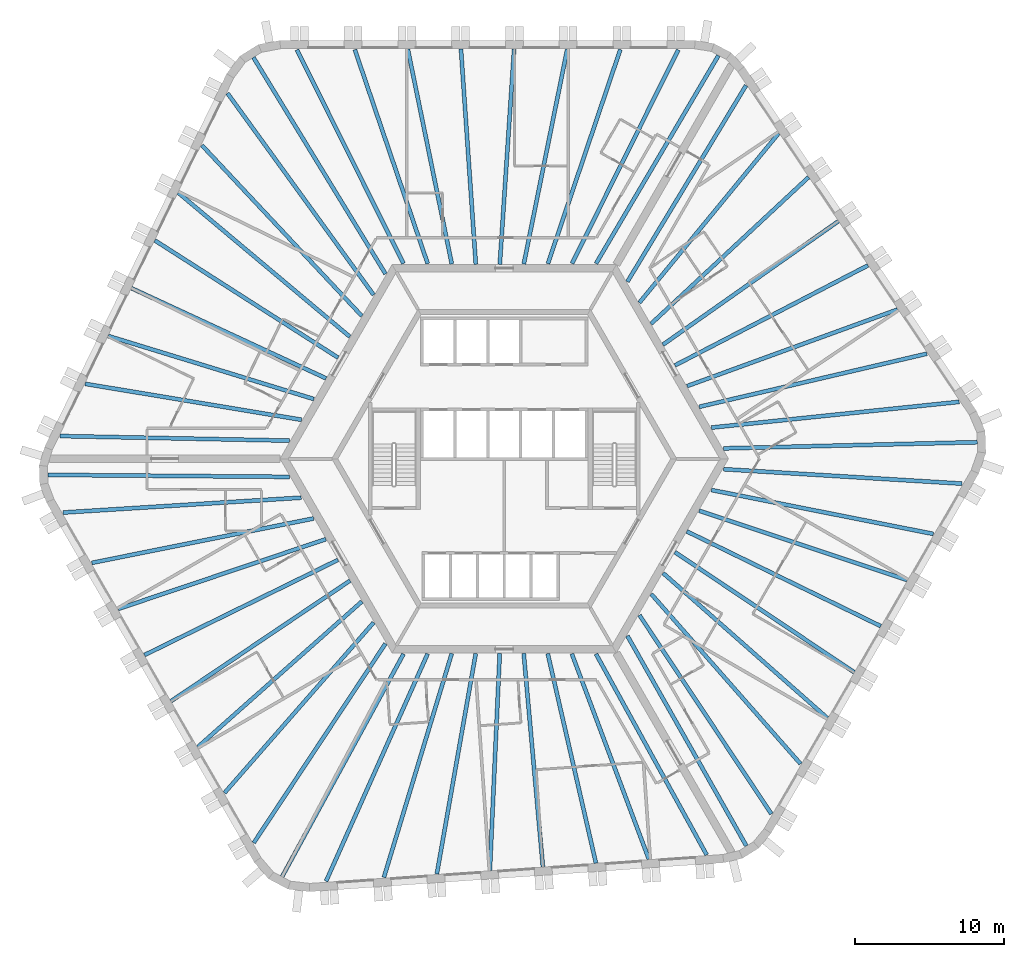
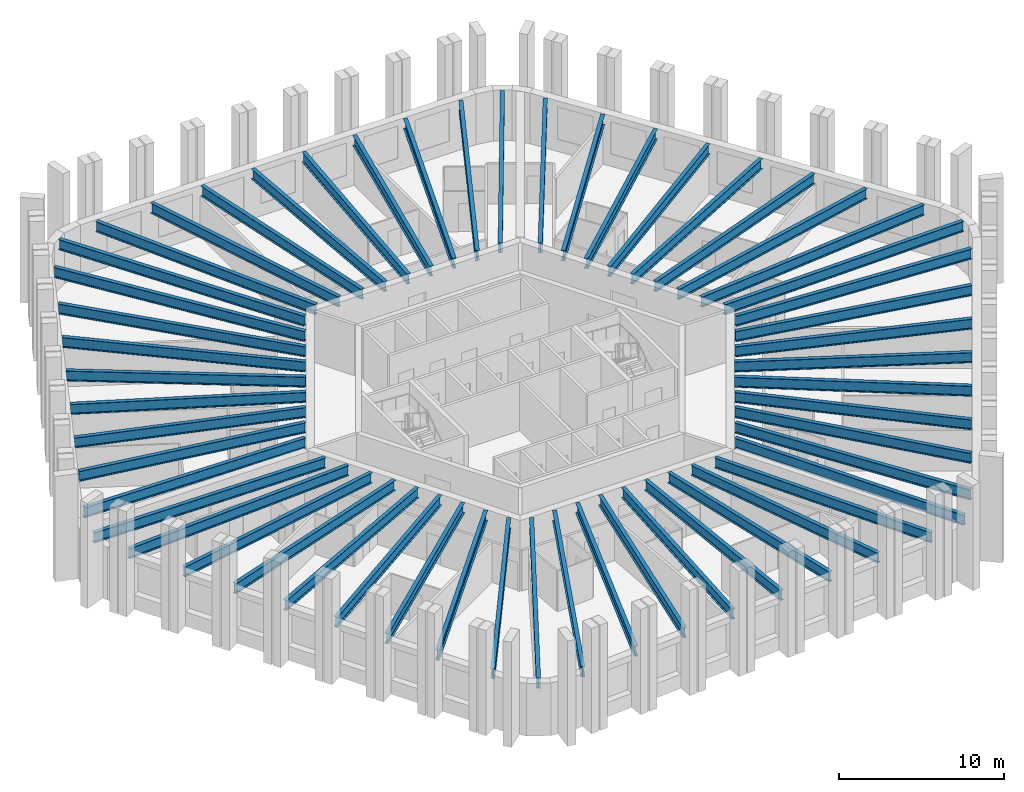
# One storey, part 1 of 10: 54 beams.
"""IFC4 building model written with IfcOpenShell, lengths in metres."""

from ifc_helpers import new_model, si_unit, direction, frame, origin, origin_2d, place, context, subcontext, project, spatial, i_section, extrude, material, material_profile, profile_set, type_object, element, save


model = new_model("IFC4")

# Units and contexts
model_context = context("Model", 3, precision=1e-05, world=origin(), true_north=direction((0.0, 1.0)))
body_context = subcontext(model_context, "Body", "Model", "MODEL_VIEW")
ifc_project = project(units=[si_unit("LENGTHUNIT", "METRE"), si_unit("AREAUNIT", "SQUARE_METRE"), si_unit("VOLUMEUNIT", "CUBIC_METRE"), si_unit("PLANEANGLEUNIT", "RADIAN"), si_unit("MASSUNIT", "GRAM", prefix="KILO")], contexts=[model_context])

# Site, building, storey
site_placement = place(None, origin())
site = spatial("IfcSite", under=ifc_project, at=site_placement, CompositionType="ELEMENT")
building_placement = place(site_placement, origin())
building = spatial("IfcBuilding", under=site, at=building_placement, Name="Tarnside Tower", CompositionType="ELEMENT")
storey_placement = place(building_placement, frame((0.0, 0.0, 176.10009765625)))
storey = spatial("IfcBuildingStorey", under=building, at=storey_placement, Name="L41", CompositionType="ELEMENT", Elevation=176.10009765625)

# Beams
ifc_material = material(Name="Steel S355", Category="steel")
ifc_material_profile_1 = material_profile(ifc_material, i_section(OverallWidth=0.26513671875, OverallDepth=0.75390625, WebThickness=0.0126953125, FlangeThickness=0.017578125, FilletRadius=0.0166015625, at=origin_2d()), Name="UB 762x267x147")
ifc_profile_set_1 = profile_set([ifc_material_profile_1], Name="Steel S355")
beam_type_1 = type_object("IfcBeamType", Name="Floor beam UB 762x267x147", PredefinedType="BEAM", material=ifc_profile_set_1)
beam_1_placement = place(storey_placement, frame((7.77001953125, 27.393310546875, 3.372802734375), z_axis=(-0.320362579778, -0.947295000239, 0.0), x_axis=(0.947295000239, -0.320362579778, 0.0)))
element("IfcBeam", 1, at=beam_1_placement, inside=storey, type_object=beam_type_1, Name="Floor beam F1.02", PredefinedType="BEAM", context=body_context, shape_type="SweptSolid", body=[
    extrude(i_section(OverallWidth=0.26513671875, OverallDepth=0.75390625, WebThickness=0.0126953125, FlangeThickness=0.017578125, FilletRadius=0.0166015625, at=origin_2d()), origin(), (0.0, 0.0, 1.0), 15.134033203125),
])
beam_2_placement = place(storey_placement, frame((4.218505859375, 27.410888671875, 3.372802734375), z_axis=(-0.19841777413, -0.980117537293, 0.0), x_axis=(0.980117537293, -0.19841777413, 0.0)))
element("IfcBeam", 2, at=beam_2_placement, inside=storey, type_object=beam_type_1, Name="Floor beam F1.03", PredefinedType="BEAM", context=body_context, shape_type="SweptSolid", body=[
    extrude(i_section(OverallWidth=0.26513671875, OverallDepth=0.75390625, WebThickness=0.0126953125, FlangeThickness=0.017578125, FilletRadius=0.0166015625, at=origin_2d()), origin(), (0.0, 0.0, 1.0), 14.6630859375),
])
beam_3_placement = place(storey_placement, frame((0.66259765625, 27.429931640625, 3.372802734375), z_axis=(-0.066554914868, -0.997782763585, 0.0), x_axis=(0.997782763585, -0.066554914868, 0.0)))
element("IfcBeam", 3, at=beam_3_placement, inside=storey, type_object=beam_type_1, Name="Floor beam F1.04", PredefinedType="BEAM", context=body_context, shape_type="SweptSolid", body=[
    extrude(i_section(OverallWidth=0.26513671875, OverallDepth=0.75390625, WebThickness=0.0126953125, FlangeThickness=0.017578125, FilletRadius=0.0166015625, at=origin_2d()), origin(), (0.0, 0.0, 1.0), 14.44189453125),
])
beam_4_placement = place(storey_placement, frame((-2.8974609375, 27.429931640625, 3.372802734375), z_axis=(0.068876921658, -0.997625164911, 0.0), x_axis=(0.997625164911, 0.068876921658, 0.0)))
element("IfcBeam", 4, at=beam_4_placement, inside=storey, type_object=beam_type_1, Name="Floor beam F1.05", PredefinedType="BEAM", context=body_context, shape_type="SweptSolid", body=[
    extrude(i_section(OverallWidth=0.26513671875, OverallDepth=0.75390625, WebThickness=0.0126953125, FlangeThickness=0.017578125, FilletRadius=0.0166015625, at=origin_2d()), origin(), (0.0, 0.0, 1.0), 14.4443359375),
])
beam_5_placement = place(storey_placement, frame((-6.45361328125, 27.410888671875, 3.372802734375), z_axis=(0.200623497398, -0.979668419564, 0.0), x_axis=(0.979668419564, 0.200623497398, 0.0)))
element("IfcBeam", 5, at=beam_5_placement, inside=storey, type_object=beam_type_1, Name="Floor beam F1.06", PredefinedType="BEAM", context=body_context, shape_type="SweptSolid", body=[
    extrude(i_section(OverallWidth=0.26513671875, OverallDepth=0.75390625, WebThickness=0.0126953125, FlangeThickness=0.017578125, FilletRadius=0.0166015625, at=origin_2d()), origin(), (0.0, 0.0, 1.0), 14.669921875),
])
beam_6_placement = place(storey_placement, frame((-10.0048828125, 27.393310546875, 3.372802734375), z_axis=(0.322343712034, -0.946622697442, 0.0), x_axis=(0.946622697442, 0.322343712034, 0.0)))
element("IfcBeam", 6, at=beam_6_placement, inside=storey, type_object=beam_type_1, Name="Floor beam F1.07", PredefinedType="BEAM", context=body_context, shape_type="SweptSolid", body=[
    extrude(i_section(OverallWidth=0.26513671875, OverallDepth=0.75390625, WebThickness=0.0126953125, FlangeThickness=0.017578125, FilletRadius=0.0166015625, at=origin_2d()), origin(), (0.0, 0.0, 1.0), 15.144775390625),
])
beam_7_placement = place(storey_placement, frame((-20.241455078125, 20.9892578125, 3.372802734375), z_axis=(0.683752330283, -0.729714156936, 0.0), x_axis=(0.729714156936, 0.683752330283, 0.0)))
element("IfcBeam", 7, at=beam_7_placement, inside=storey, type_object=beam_type_1, Name="Floor beam F2.02", PredefinedType="BEAM", context=body_context, shape_type="SweptSolid", body=[
    extrude(i_section(OverallWidth=0.26513671875, OverallDepth=0.75390625, WebThickness=0.0126953125, FlangeThickness=0.017578125, FilletRadius=0.0166015625, at=origin_2d()), origin(), (0.0, 0.0, 1.0), 15.6591796875),
])
beam_8_placement = place(storey_placement, frame((-21.81396484375, 17.80419921875, 3.372802734375), z_axis=(0.765948461073, -0.642901979294, 0.0), x_axis=(0.642901979294, 0.765948461073, 0.0)))
element("IfcBeam", 8, at=beam_8_placement, inside=storey, type_object=beam_type_1, Name="Floor beam F2.03", PredefinedType="BEAM", context=body_context, shape_type="SweptSolid", body=[
    extrude(i_section(OverallWidth=0.26513671875, OverallDepth=0.75390625, WebThickness=0.0126953125, FlangeThickness=0.017578125, FilletRadius=0.0166015625, at=origin_2d()), origin(), (0.0, 0.0, 1.0), 14.982177734375),
])
beam_9_placement = place(storey_placement, frame((-23.389892578125, 14.616455078125, 3.372802734375), z_axis=(0.842378275633, -0.538886667808, 0.0), x_axis=(0.538886667808, 0.842378275633, 0.0)))
element("IfcBeam", 9, at=beam_9_placement, inside=storey, type_object=beam_type_1, Name="Floor beam F2.04", PredefinedType="BEAM", context=body_context, shape_type="SweptSolid", body=[
    extrude(i_section(OverallWidth=0.26513671875, OverallDepth=0.75390625, WebThickness=0.0126953125, FlangeThickness=0.017578125, FilletRadius=0.0166015625, at=origin_2d()), origin(), (0.0, 0.0, 1.0), 14.5595703125),
])
beam_10_placement = place(storey_placement, frame((-24.9501953125, 11.416748046875, 3.372802734375), z_axis=(0.907310131748, -0.420462037321, 0.0), x_axis=(0.420462037321, 0.907310131748, 0.0)))
element("IfcBeam", 10, at=beam_10_placement, inside=storey, type_object=beam_type_1, Name="Floor beam F2.05", PredefinedType="BEAM", context=body_context, shape_type="SweptSolid", body=[
    extrude(i_section(OverallWidth=0.26513671875, OverallDepth=0.75390625, WebThickness=0.0126953125, FlangeThickness=0.017578125, FilletRadius=0.0166015625, at=origin_2d()), origin(), (0.0, 0.0, 1.0), 14.353515625),
])
beam_11_placement = place(storey_placement, frame((-26.510986328125, 8.2177734375, 3.372802734375), z_axis=(0.956073348261, -0.293127536654, 0.0), x_axis=(0.293127536654, 0.956073348261, 0.0)))
element("IfcBeam", 11, at=beam_11_placement, inside=storey, type_object=beam_type_1, Name="Floor beam F2.06", PredefinedType="BEAM", context=body_context, shape_type="SweptSolid", body=[
    extrude(i_section(OverallWidth=0.26513671875, OverallDepth=0.75390625, WebThickness=0.0126953125, FlangeThickness=0.017578125, FilletRadius=0.0166015625, at=origin_2d()), origin(), (0.0, 0.0, 1.0), 14.3955078125),
])
beam_12_placement = place(storey_placement, frame((-28.0517578125, 5.015869140625, 3.372802734375), z_axis=(0.986476498304, -0.163902770858, 0.0), x_axis=(0.163902770858, 0.986476498304, 0.0)))
element("IfcBeam", 12, at=beam_12_placement, inside=storey, type_object=beam_type_1, Name="Floor beam F2.07", PredefinedType="BEAM", context=body_context, shape_type="SweptSolid", body=[
    extrude(i_section(OverallWidth=0.26513671875, OverallDepth=0.75390625, WebThickness=0.0126953125, FlangeThickness=0.017578125, FilletRadius=0.0166015625, at=origin_2d()), origin(), (0.0, 0.0, 1.0), 14.680908203125),
])
beam_13_placement = place(storey_placement, frame((-29.73828125, 1.521484375, 3.372802734375), z_axis=(0.999800142641, -0.019991867701, 0.0), x_axis=(0.019991867701, 0.999800142641, 0.0)))
element("IfcBeam", 13, at=beam_13_placement, inside=storey, type_object=beam_type_1, Name="Floor beam F2.08", PredefinedType="BEAM", context=body_context, shape_type="SweptSolid", body=[
    extrude(i_section(OverallWidth=0.26513671875, OverallDepth=0.75390625, WebThickness=0.0126953125, FlangeThickness=0.017578125, FilletRadius=0.0166015625, at=origin_2d()), origin(), (0.0, 0.0, 1.0), 15.3505859375),
])
beam_14_placement = place(storey_placement, frame((-27.608154296875, -6.967529296875, 3.372802734375), z_axis=(0.980564540422, 0.196196794232, 0.0), x_axis=(-0.196196794232, 0.980564540422, 0.0)))
element("IfcBeam", 14, at=beam_14_placement, inside=storey, type_object=beam_type_1, Name="Floor beam F3.02", PredefinedType="BEAM", context=body_context, shape_type="SweptSolid", body=[
    extrude(i_section(OverallWidth=0.26513671875, OverallDepth=0.75390625, WebThickness=0.0126953125, FlangeThickness=0.017578125, FilletRadius=0.0166015625, at=origin_2d()), origin(), (0.0, 0.0, 1.0), 15.134033203125),
])
beam_15_placement = place(storey_placement, frame((-25.84765625, -10.052001953125, 3.372802734375), z_axis=(0.948011835322, 0.31823507049, 0.0), x_axis=(-0.31823507049, 0.948011835322, 0.0)))
element("IfcBeam", 15, at=beam_15_placement, inside=storey, type_object=beam_type_1, Name="Floor beam F3.03", PredefinedType="BEAM", context=body_context, shape_type="SweptSolid", body=[
    extrude(i_section(OverallWidth=0.26513671875, OverallDepth=0.75390625, WebThickness=0.0126953125, FlangeThickness=0.017578125, FilletRadius=0.0166015625, at=origin_2d()), origin(), (0.0, 0.0, 1.0), 14.662841796875),
])
beam_16_placement = place(storey_placement, frame((-24.086181640625, -13.141357421875, 3.372802734375), z_axis=(0.897375974806, 0.441266767206, 0.0), x_axis=(-0.441266767206, 0.897375974806, 0.0)))
element("IfcBeam", 16, at=beam_16_placement, inside=storey, type_object=beam_type_1, Name="Floor beam F3.04", PredefinedType="BEAM", context=body_context, shape_type="SweptSolid", body=[
    extrude(i_section(OverallWidth=0.26513671875, OverallDepth=0.75390625, WebThickness=0.0126953125, FlangeThickness=0.017578125, FilletRadius=0.0166015625, at=origin_2d()), origin(), (0.0, 0.0, 1.0), 14.442138671875),
])
beam_17_placement = place(storey_placement, frame((-22.306396484375, -16.224365234375, 3.372802734375), z_axis=(0.829532486243, 0.558458462437, 0.0), x_axis=(-0.558458462437, 0.829532486243, 0.0)))
element("IfcBeam", 17, at=beam_17_placement, inside=storey, type_object=beam_type_1, Name="Floor beam F3.05", PredefinedType="BEAM", context=body_context, shape_type="SweptSolid", body=[
    extrude(i_section(OverallWidth=0.26513671875, OverallDepth=0.75390625, WebThickness=0.0126953125, FlangeThickness=0.017578125, FilletRadius=0.0166015625, at=origin_2d()), origin(), (0.0, 0.0, 1.0), 14.444580078125),
])
beam_18_placement = place(storey_placement, frame((-20.51171875, -19.294189453125, 3.372802734375), z_axis=(0.74811408094, 0.663570133369, 0.0), x_axis=(-0.663570133369, 0.74811408094, 0.0)))
element("IfcBeam", 18, at=beam_18_placement, inside=storey, type_object=beam_type_1, Name="Floor beam F3.06", PredefinedType="BEAM", context=body_context, shape_type="SweptSolid", body=[
    extrude(i_section(OverallWidth=0.26513671875, OverallDepth=0.75390625, WebThickness=0.0126953125, FlangeThickness=0.017578125, FilletRadius=0.0166015625, at=origin_2d()), origin(), (0.0, 0.0, 1.0), 14.669677734375),
])
beam_19_placement = place(storey_placement, frame((-18.720703125, -22.361083984375, 3.372802734375), z_axis=(0.658621010302, 0.752474826681, 0.0), x_axis=(-0.752474826681, 0.658621010302, 0.0)))
element("IfcBeam", 19, at=beam_19_placement, inside=storey, type_object=beam_type_1, Name="Floor beam F3.07", PredefinedType="BEAM", context=body_context, shape_type="SweptSolid", body=[
    extrude(i_section(OverallWidth=0.26513671875, OverallDepth=0.75390625, WebThickness=0.0126953125, FlangeThickness=0.017578125, FilletRadius=0.0166015625, at=origin_2d()), origin(), (0.0, 0.0, 1.0), 15.144775390625),
])
beam_20_placement = place(storey_placement, frame((-8.056396484375, -28.024169921875, 3.372802734375), z_axis=(0.290070138838, 0.957005388989, 0.0), x_axis=(-0.957005388989, 0.290070138838, 0.0)))
element("IfcBeam", 20, at=beam_20_placement, inside=storey, type_object=beam_type_1, Name="Floor beam F4.02", PredefinedType="BEAM", context=body_context, shape_type="SweptSolid", body=[
    extrude(i_section(OverallWidth=0.26513671875, OverallDepth=0.75390625, WebThickness=0.0126953125, FlangeThickness=0.017578125, FilletRadius=0.0166015625, at=origin_2d()), origin(), (0.0, 0.0, 1.0), 15.6591796875),
])
beam_21_placement = place(storey_placement, frame((-4.511962890625, -27.793701171875, 3.372802734375), z_axis=(0.173788122681, 0.984783066678, 0.0), x_axis=(-0.984783066678, 0.173788122681, 0.0)))
element("IfcBeam", 21, at=beam_21_placement, inside=storey, type_object=beam_type_1, Name="Floor beam F4.03", PredefinedType="BEAM", context=body_context, shape_type="SweptSolid", body=[
    extrude(i_section(OverallWidth=0.26513671875, OverallDepth=0.75390625, WebThickness=0.0126953125, FlangeThickness=0.017578125, FilletRadius=0.0166015625, at=origin_2d()), origin(), (0.0, 0.0, 1.0), 14.982421875),
])
beam_22_placement = place(storey_placement, frame((-0.96337890625, -27.564453125, 3.372802734375), z_axis=(0.045509585226, 0.998963902077, 0.0), x_axis=(-0.998963902077, 0.045509585226, 0.0)))
element("IfcBeam", 22, at=beam_22_placement, inside=storey, type_object=beam_type_1, Name="Floor beam F4.04", PredefinedType="BEAM", context=body_context, shape_type="SweptSolid", body=[
    extrude(i_section(OverallWidth=0.26513671875, OverallDepth=0.75390625, WebThickness=0.0126953125, FlangeThickness=0.017578125, FilletRadius=0.0166015625, at=origin_2d()), origin(), (0.0, 0.0, 1.0), 14.5595703125),
])
beam_23_placement = place(storey_placement, frame((2.587890625, -27.31591796875, 3.372802734375), z_axis=(-0.089518916897, 0.995985122137, 0.0), x_axis=(-0.995985122137, -0.089518916897, 0.0)))
element("IfcBeam", 23, at=beam_23_placement, inside=storey, type_object=beam_type_1, Name="Floor beam F4.05", PredefinedType="BEAM", context=body_context, shape_type="SweptSolid", body=[
    extrude(i_section(OverallWidth=0.26513671875, OverallDepth=0.75390625, WebThickness=0.0126953125, FlangeThickness=0.017578125, FilletRadius=0.0166015625, at=origin_2d()), origin(), (0.0, 0.0, 1.0), 14.353515625),
])
beam_24_placement = place(storey_placement, frame((6.138671875, -27.068115234375, 3.372802734375), z_axis=(-0.224188122435, 0.974545886944, 0.0), x_axis=(-0.974545886944, -0.224188122435, 0.0)))
element("IfcBeam", 24, at=beam_24_placement, inside=storey, type_object=beam_type_1, Name="Floor beam F4.06", PredefinedType="BEAM", context=body_context, shape_type="SweptSolid", body=[
    extrude(i_section(OverallWidth=0.26513671875, OverallDepth=0.75390625, WebThickness=0.0126953125, FlangeThickness=0.017578125, FilletRadius=0.0166015625, at=origin_2d()), origin(), (0.0, 0.0, 1.0), 14.3955078125),
])
beam_25_placement = place(storey_placement, frame((9.681884765625, -26.801513671875, 3.372802734375), z_axis=(-0.351271055087, 0.936273809234, 0.0), x_axis=(-0.936273809234, -0.351271055087, 0.0)))
element("IfcBeam", 25, at=beam_25_placement, inside=storey, type_object=beam_type_1, Name="Floor beam F4.07", PredefinedType="BEAM", context=body_context, shape_type="SweptSolid", body=[
    extrude(i_section(OverallWidth=0.26513671875, OverallDepth=0.75390625, WebThickness=0.0126953125, FlangeThickness=0.017578125, FilletRadius=0.0166015625, at=origin_2d()), origin(), (0.0, 0.0, 1.0), 14.680908203125),
])
beam_26_placement = place(storey_placement, frame((13.551513671875, -26.514892578125, 3.372802734375), z_axis=(-0.482584088089, 0.875849643445, 0.0), x_axis=(-0.875849643445, -0.482584088089, 0.0)))
element("IfcBeam", 26, at=beam_26_placement, inside=storey, type_object=beam_type_1, Name="Floor beam F4.08", PredefinedType="BEAM", context=body_context, shape_type="SweptSolid", body=[
    extrude(i_section(OverallWidth=0.26513671875, OverallDepth=0.75390625, WebThickness=0.0126953125, FlangeThickness=0.017578125, FilletRadius=0.0166015625, at=origin_2d()), origin(), (0.0, 0.0, 1.0), 15.3505859375),
])
beam_27_placement = place(storey_placement, frame((19.838134765625, -20.425537109375, 3.372802734375), z_axis=(-0.660201214512, 0.751088780609, 0.0), x_axis=(-0.751088780609, -0.660201214512, 0.0)))
element("IfcBeam", 27, at=beam_27_placement, inside=storey, type_object=beam_type_1, Name="Floor beam F5.02", PredefinedType="BEAM", context=body_context, shape_type="SweptSolid", body=[
    extrude(i_section(OverallWidth=0.26513671875, OverallDepth=0.75390625, WebThickness=0.0126953125, FlangeThickness=0.017578125, FilletRadius=0.0166015625, at=origin_2d()), origin(), (0.0, 0.0, 1.0), 15.134033203125),
])
beam_28_placement = place(storey_placement, frame((21.629150390625, -17.358642578125, 3.372802734375), z_axis=(-0.749601662028, 0.661889226597, 0.0), x_axis=(-0.661889226597, -0.749601662028, 0.0)))
element("IfcBeam", 28, at=beam_28_placement, inside=storey, type_object=beam_type_1, Name="Floor beam F5.03", PredefinedType="BEAM", context=body_context, shape_type="SweptSolid", body=[
    extrude(i_section(OverallWidth=0.26513671875, OverallDepth=0.75390625, WebThickness=0.0126953125, FlangeThickness=0.017578125, FilletRadius=0.0166015625, at=origin_2d()), origin(), (0.0, 0.0, 1.0), 14.6630859375),
])
beam_29_placement = place(storey_placement, frame((23.423828125, -14.288818359375, 3.372802734375), z_axis=(-0.830825943553, 0.556532345439, 0.0), x_axis=(-0.556532345439, -0.830825943553, 0.0)))
element("IfcBeam", 29, at=beam_29_placement, inside=storey, type_object=beam_type_1, Name="Floor beam F5.04", PredefinedType="BEAM", context=body_context, shape_type="SweptSolid", body=[
    extrude(i_section(OverallWidth=0.26513671875, OverallDepth=0.75390625, WebThickness=0.0126953125, FlangeThickness=0.017578125, FilletRadius=0.0166015625, at=origin_2d()), origin(), (0.0, 0.0, 1.0), 14.4423828125),
])
beam_30_placement = place(storey_placement, frame((25.203857421875, -11.205810546875, 3.372802734375), z_axis=(-0.898407034897, 0.43916375038, 0.0), x_axis=(-0.43916375038, -0.898407034897, 0.0)))
element("IfcBeam", 30, at=beam_30_placement, inside=storey, type_object=beam_type_1, Name="Floor beam F5.05", PredefinedType="BEAM", context=body_context, shape_type="SweptSolid", body=[
    extrude(i_section(OverallWidth=0.26513671875, OverallDepth=0.75390625, WebThickness=0.0126953125, FlangeThickness=0.017578125, FilletRadius=0.0166015625, at=origin_2d()), origin(), (0.0, 0.0, 1.0), 14.444580078125),
])
beam_31_placement = place(storey_placement, frame((26.965087890625, -8.116455078125, 3.372802734375), z_axis=(-0.948728223501, 0.31609295774, 0.0), x_axis=(-0.31609295774, -0.948728223501, 0.0)))
element("IfcBeam", 31, at=beam_31_placement, inside=storey, type_object=beam_type_1, Name="Floor beam F5.06", PredefinedType="BEAM", context=body_context, shape_type="SweptSolid", body=[
    extrude(i_section(OverallWidth=0.26513671875, OverallDepth=0.75390625, WebThickness=0.0126953125, FlangeThickness=0.017578125, FilletRadius=0.0166015625, at=origin_2d()), origin(), (0.0, 0.0, 1.0), 14.669677734375),
])
beam_32_placement = place(storey_placement, frame((28.7255859375, -5.031982421875, 3.372802734375), z_axis=(-0.980974250646, 0.194137888034, 0.0), x_axis=(-0.194137888034, -0.980974250646, 0.0)))
element("IfcBeam", 32, at=beam_32_placement, inside=storey, type_object=beam_type_1, Name="Floor beam F5.07", PredefinedType="BEAM", context=body_context, shape_type="SweptSolid", body=[
    extrude(i_section(OverallWidth=0.26513671875, OverallDepth=0.75390625, WebThickness=0.0126953125, FlangeThickness=0.017578125, FilletRadius=0.0166015625, at=origin_2d()), origin(), (0.0, 0.0, 1.0), 15.144775390625),
])
beam_33_placement = place(storey_placement, frame((28.2978515625, 7.034912109375, 3.372802734375), z_axis=(-0.973828212928, -0.227285309042, 0.0), x_axis=(0.227285309042, -0.973828212928, 0.0)))
element("IfcBeam", 33, at=beam_33_placement, inside=storey, type_object=beam_type_1, Name="Floor beam F6.02", PredefinedType="BEAM", context=body_context, shape_type="SweptSolid", body=[
    extrude(i_section(OverallWidth=0.26513671875, OverallDepth=0.75390625, WebThickness=0.0126953125, FlangeThickness=0.017578125, FilletRadius=0.0166015625, at=origin_2d()), origin(), (0.0, 0.0, 1.0), 15.6591796875),
])
beam_34_placement = place(storey_placement, frame((26.325927734375, 9.989501953125, 3.372802734375), z_axis=(-0.939738697004, -0.341893523415, 0.0), x_axis=(0.341893523415, -0.939738697004, 0.0)))
element("IfcBeam", 34, at=beam_34_placement, inside=storey, type_object=beam_type_1, Name="Floor beam F6.03", PredefinedType="BEAM", context=body_context, shape_type="SweptSolid", body=[
    extrude(i_section(OverallWidth=0.26513671875, OverallDepth=0.75390625, WebThickness=0.0126953125, FlangeThickness=0.017578125, FilletRadius=0.0166015625, at=origin_2d()), origin(), (0.0, 0.0, 1.0), 14.982177734375),
])
beam_35_placement = place(storey_placement, frame((24.353271484375, 12.947998046875, 3.372802734375), z_axis=(-0.887881646639, -0.460071930856, 0.0), x_axis=(0.460071930856, -0.887881646639, 0.0)))
element("IfcBeam", 35, at=beam_35_placement, inside=storey, type_object=beam_type_1, Name="Floor beam F6.04", PredefinedType="BEAM", context=body_context, shape_type="SweptSolid", body=[
    extrude(i_section(OverallWidth=0.26513671875, OverallDepth=0.75390625, WebThickness=0.0126953125, FlangeThickness=0.017578125, FilletRadius=0.0166015625, at=origin_2d()), origin(), (0.0, 0.0, 1.0), 14.5595703125),
])
beam_36_placement = place(storey_placement, frame((22.3623046875, 15.899169921875, 3.372802734375), z_axis=(-0.817791001708, -0.575515314762, 0.0), x_axis=(0.575515314762, -0.817791001708, 0.0)))
element("IfcBeam", 36, at=beam_36_placement, inside=storey, type_object=beam_type_1, Name="Floor beam F6.05", PredefinedType="BEAM", context=body_context, shape_type="SweptSolid", body=[
    extrude(i_section(OverallWidth=0.26513671875, OverallDepth=0.75390625, WebThickness=0.0126953125, FlangeThickness=0.017578125, FilletRadius=0.0166015625, at=origin_2d()), origin(), (0.0, 0.0, 1.0), 14.353759765625),
])
beam_37_placement = place(storey_placement, frame((20.372314453125, 18.850341796875, 3.372802734375), z_axis=(-0.731892224456, -0.681420407517, 0.0), x_axis=(0.681420407517, -0.731892224456, 0.0)))
element("IfcBeam", 37, at=beam_37_placement, inside=storey, type_object=beam_type_1, Name="Floor beam F6.06", PredefinedType="BEAM", context=body_context, shape_type="SweptSolid", body=[
    extrude(i_section(OverallWidth=0.26513671875, OverallDepth=0.75390625, WebThickness=0.0126953125, FlangeThickness=0.017578125, FilletRadius=0.0166015625, at=origin_2d()), origin(), (0.0, 0.0, 1.0), 14.3955078125),
])
beam_38_placement = place(storey_placement, frame((18.369873046875, 21.78564453125, 3.372802734375), z_axis=(-0.635191827457, -0.772354414975, 0.0), x_axis=(0.772354414975, -0.635191827457, 0.0)))
element("IfcBeam", 38, at=beam_38_placement, inside=storey, type_object=beam_type_1, Name="Floor beam F6.07", PredefinedType="BEAM", context=body_context, shape_type="SweptSolid", body=[
    extrude(i_section(OverallWidth=0.26513671875, OverallDepth=0.75390625, WebThickness=0.0126953125, FlangeThickness=0.017578125, FilletRadius=0.0166015625, at=origin_2d()), origin(), (0.0, 0.0, 1.0), 14.680908203125),
])
beam_39_placement = place(storey_placement, frame((16.186767578125, 24.993408203125, 3.372802734375), z_axis=(-0.517208605106, -0.855859368591, 0.0), x_axis=(0.855859368591, -0.517208605106, 0.0)))
element("IfcBeam", 39, at=beam_39_placement, inside=storey, type_object=beam_type_1, Name="Floor beam F6.08", PredefinedType="BEAM", context=body_context, shape_type="SweptSolid", body=[
    extrude(i_section(OverallWidth=0.26513671875, OverallDepth=0.75390625, WebThickness=0.0126953125, FlangeThickness=0.017578125, FilletRadius=0.0166015625, at=origin_2d()), origin(), (0.0, 0.0, 1.0), 15.3505859375),
])
ifc_material_profile_2 = material_profile(ifc_material, i_section(OverallWidth=0.2666015625, OverallDepth=0.76220703125, WebThickness=0.014404296875, FlangeThickness=0.021484375, FilletRadius=0.0166015625, at=origin_2d()), Name="UB 762x267x173")
ifc_profile_set_2 = profile_set([ifc_material_profile_2], Name="Steel S355")
beam_type_2 = type_object("IfcBeamType", Name="Floor beam UB 762x267x173", PredefinedType="BEAM", material=ifc_profile_set_2)
beam_40_placement = place(storey_placement, frame((11.6494140625, 27.37841796875, 3.368896484375), z_axis=(-0.445042310328, -0.895509543231, 0.0), x_axis=(0.895509543231, -0.445042310328, 0.0)))
element("IfcBeam", 40, at=beam_40_placement, inside=storey, type_object=beam_type_2, Name="Floor beam F1.01", PredefinedType="BEAM", context=body_context, shape_type="SweptSolid", body=[
    extrude(i_section(OverallWidth=0.2666015625, OverallDepth=0.76220703125, WebThickness=0.014404296875, FlangeThickness=0.021484375, FilletRadius=0.0166015625, at=origin_2d()), origin(), (0.0, 0.0, 1.0), 15.976318359375),
])
beam_41_placement = place(storey_placement, frame((-13.884521484375, 27.37841796875, 3.368896484375), z_axis=(0.44673108957, -0.894668281326, 0.0), x_axis=(0.894668281326, 0.44673108957, 0.0)))
element("IfcBeam", 41, at=beam_41_placement, inside=storey, type_object=beam_type_2, Name="Floor beam F1.08", PredefinedType="BEAM", context=body_context, shape_type="SweptSolid", body=[
    extrude(i_section(OverallWidth=0.2666015625, OverallDepth=0.76220703125, WebThickness=0.014404296875, FlangeThickness=0.021484375, FilletRadius=0.0166015625, at=origin_2d()), origin(), (0.0, 0.0, 1.0), 15.9912109375),
])
beam_42_placement = place(storey_placement, frame((-16.79345703125, 26.86962890625, 3.368896484375), z_axis=(0.520940467881, -0.853593011291, 0.0), x_axis=(0.853593011291, 0.520940467881, 0.0)))
element("IfcBeam", 42, at=beam_42_placement, inside=storey, type_object=beam_type_2, Name="Floor beam C1", PredefinedType="BEAM", context=body_context, shape_type="SweptSolid", body=[
    extrude(i_section(OverallWidth=0.2666015625, OverallDepth=0.76220703125, WebThickness=0.014404296875, FlangeThickness=0.021484375, FilletRadius=0.0166015625, at=origin_2d()), origin(), (0.0, 0.0, 1.0), 16.980712890625),
])
beam_43_placement = place(storey_placement, frame((-18.52685546875, 24.471435546875, 3.368896484375), z_axis=(0.586791943415, -0.80973774467, 0.0), x_axis=(0.80973774467, 0.586791943415, 0.0)))
element("IfcBeam", 43, at=beam_43_placement, inside=storey, type_object=beam_type_2, Name="Floor beam F2.01", PredefinedType="BEAM", context=body_context, shape_type="SweptSolid", body=[
    extrude(i_section(OverallWidth=0.2666015625, OverallDepth=0.76220703125, WebThickness=0.014404296875, FlangeThickness=0.021484375, FilletRadius=0.0166015625, at=origin_2d()), origin(), (0.0, 0.0, 1.0), 16.67578125),
])
beam_44_placement = place(storey_placement, frame((-30.543212890625, -1.079345703125, 3.368896484375), z_axis=(0.999966072652, -0.008237326324, 0.0), x_axis=(0.008237326324, 0.999966072652, 0.0)))
element("IfcBeam", 44, at=beam_44_placement, inside=storey, type_object=beam_type_2, Name="Floor beam C2", PredefinedType="BEAM", context=body_context, shape_type="SweptSolid", body=[
    extrude(i_section(OverallWidth=0.2666015625, OverallDepth=0.76220703125, WebThickness=0.014404296875, FlangeThickness=0.021484375, FilletRadius=0.0166015625, at=origin_2d()), origin(), (0.0, 0.0, 1.0), 16.15283203125),
])
beam_45_placement = place(storey_placement, frame((-29.534912109375, -3.6005859375, 3.368896484375), z_axis=(0.99805531279, 0.062334521832, 0.0), x_axis=(-0.062334521832, 0.99805531279, 0.0)))
element("IfcBeam", 45, at=beam_45_placement, inside=storey, type_object=beam_type_2, Name="Floor beam F3.01", PredefinedType="BEAM", context=body_context, shape_type="SweptSolid", body=[
    extrude(i_section(OverallWidth=0.2666015625, OverallDepth=0.76220703125, WebThickness=0.014404296875, FlangeThickness=0.021484375, FilletRadius=0.0166015625, at=origin_2d()), origin(), (0.0, 0.0, 1.0), 15.975830078125),
])
beam_46_placement = place(storey_placement, frame((-16.768310546875, -25.71337890625, 3.368896484375), z_axis=(0.551447600123, 0.834209532623, 0.0), x_axis=(-0.834209532623, 0.551447600123, 0.0)))
element("IfcBeam", 46, at=beam_46_placement, inside=storey, type_object=beam_type_2, Name="Floor beam F3.08", PredefinedType="BEAM", context=body_context, shape_type="SweptSolid", body=[
    extrude(i_section(OverallWidth=0.2666015625, OverallDepth=0.76220703125, WebThickness=0.014404296875, FlangeThickness=0.021484375, FilletRadius=0.0166015625, at=origin_2d()), origin(), (0.0, 0.0, 1.0), 15.9912109375),
])
beam_47_placement = place(storey_placement, frame((-14.873046875, -27.978515625, 3.368896484375), z_axis=(0.478767512404, 0.877941723047, 0.0), x_axis=(-0.877941723047, 0.478767512404, 0.0)))
element("IfcBeam", 47, at=beam_47_placement, inside=storey, type_object=beam_type_2, Name="Floor beam C3", PredefinedType="BEAM", context=body_context, shape_type="SweptSolid", body=[
    extrude(i_section(OverallWidth=0.2666015625, OverallDepth=0.76220703125, WebThickness=0.014404296875, FlangeThickness=0.021484375, FilletRadius=0.0166015625, at=origin_2d()), origin(), (0.0, 0.0, 1.0), 16.98095703125),
])
beam_48_placement = place(storey_placement, frame((-11.929443359375, -28.280517578125, 3.368896484375), z_axis=(0.407852035629, 0.913048036542, 0.0), x_axis=(-0.913048036542, 0.407852035629, 0.0)))
element("IfcBeam", 48, at=beam_48_placement, inside=storey, type_object=beam_type_2, Name="Floor beam F4.01", PredefinedType="BEAM", context=body_context, shape_type="SweptSolid", body=[
    extrude(i_section(OverallWidth=0.2666015625, OverallDepth=0.76220703125, WebThickness=0.014404296875, FlangeThickness=0.021484375, FilletRadius=0.0166015625, at=origin_2d()), origin(), (0.0, 0.0, 1.0), 16.67578125),
])
beam_49_placement = place(storey_placement, frame((16.206298828125, -25.91162109375, 3.368896484375), z_axis=(-0.492847437034, 0.870115741616, 0.0), x_axis=(-0.870115741616, -0.492847437034, 0.0)))
element("IfcBeam", 49, at=beam_49_placement, inside=storey, type_object=beam_type_2, Name="Floor beam C4", PredefinedType="BEAM", context=body_context, shape_type="SweptSolid", body=[
    extrude(i_section(OverallWidth=0.2666015625, OverallDepth=0.76220703125, WebThickness=0.014404296875, FlangeThickness=0.021484375, FilletRadius=0.0166015625, at=origin_2d()), origin(), (0.0, 0.0, 1.0), 16.15283203125),
])
beam_50_placement = place(storey_placement, frame((17.8857421875, -23.77783203125, 3.368896484375), z_axis=(-0.553013371197, 0.833172377889, 0.0), x_axis=(-0.833172377889, -0.553013371197, 0.0)))
element("IfcBeam", 50, at=beam_50_placement, inside=storey, type_object=beam_type_2, Name="Floor beam F5.01", PredefinedType="BEAM", context=body_context, shape_type="SweptSolid", body=[
    extrude(i_section(OverallWidth=0.2666015625, OverallDepth=0.76220703125, WebThickness=0.014404296875, FlangeThickness=0.021484375, FilletRadius=0.0166015625, at=origin_2d()), origin(), (0.0, 0.0, 1.0), 15.97607421875),
])
beam_51_placement = place(storey_placement, frame((30.652587890625, -1.6650390625, 3.368896484375), z_axis=(-0.998170730858, 0.060458184371, 0.0), x_axis=(-0.060458184371, -0.998170730858, 0.0)))
element("IfcBeam", 51, at=beam_51_placement, inside=storey, type_object=beam_type_2, Name="Floor beam F5.08", PredefinedType="BEAM", context=body_context, shape_type="SweptSolid", body=[
    extrude(i_section(OverallWidth=0.2666015625, OverallDepth=0.76220703125, WebThickness=0.014404296875, FlangeThickness=0.021484375, FilletRadius=0.0166015625, at=origin_2d()), origin(), (0.0, 0.0, 1.0), 15.9912109375),
])
beam_52_placement = place(storey_placement, frame((31.66650390625, 1.108642578125, 3.368896484375), z_axis=(-0.999703706976, -0.024341287118, 0.0), x_axis=(0.024341287118, -0.999703706976, 0.0)))
element("IfcBeam", 52, at=beam_52_placement, inside=storey, type_object=beam_type_2, Name="Floor beam C5", PredefinedType="BEAM", context=body_context, shape_type="SweptSolid", body=[
    extrude(i_section(OverallWidth=0.2666015625, OverallDepth=0.76220703125, WebThickness=0.014404296875, FlangeThickness=0.021484375, FilletRadius=0.0166015625, at=origin_2d()), origin(), (0.0, 0.0, 1.0), 16.980712890625),
])
beam_53_placement = place(storey_placement, frame((30.456298828125, 3.80908203125, 3.368896484375), z_axis=(-0.994648352349, -0.103318222829, 0.0), x_axis=(0.103318222829, -0.994648352349, 0.0)))
element("IfcBeam", 53, at=beam_53_placement, inside=storey, type_object=beam_type_2, Name="Floor beam F6.01", PredefinedType="BEAM", context=body_context, shape_type="SweptSolid", body=[
    extrude(i_section(OverallWidth=0.2666015625, OverallDepth=0.76220703125, WebThickness=0.014404296875, FlangeThickness=0.021484375, FilletRadius=0.0166015625, at=origin_2d()), origin(), (0.0, 0.0, 1.0), 16.67578125),
])
beam_54_placement = place(storey_placement, frame((14.3369140625, 26.990966796875, 3.368896484375), z_axis=(-0.507115238706, -0.861878259775, 0.0), x_axis=(0.861878259775, -0.507115238706, 0.0)))
element("IfcBeam", 54, at=beam_54_placement, inside=storey, type_object=beam_type_2, Name="Floor beam C6", PredefinedType="BEAM", context=body_context, shape_type="SweptSolid", body=[
    extrude(i_section(OverallWidth=0.2666015625, OverallDepth=0.76220703125, WebThickness=0.014404296875, FlangeThickness=0.021484375, FilletRadius=0.0166015625, at=origin_2d()), origin(), (0.0, 0.0, 1.0), 16.15283203125),
])

save(model, "model.ifc")
